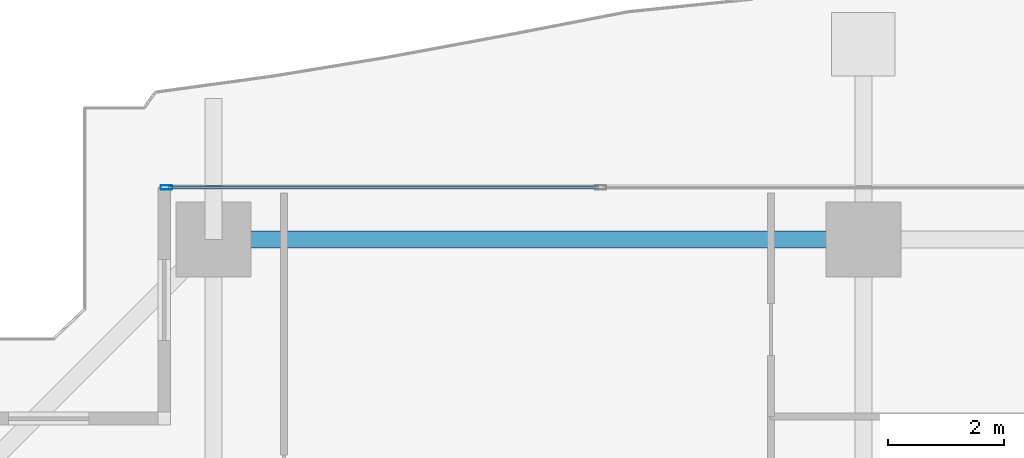
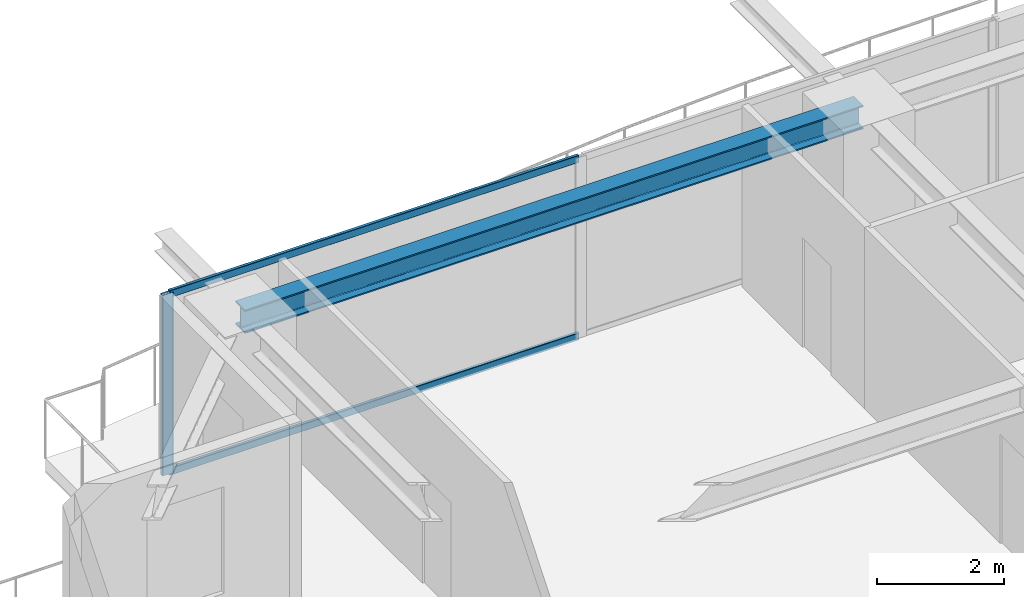
# One storey, part 16 of 33: 3 members, 1 beam, 1 element without a shape of its own.
"""IFC4 building model written with IfcOpenShell, lengths in metres."""

from ifc_helpers import new_model, si_unit, direction, frame, origin, origin_2d, place, context, subcontext, project, spatial, hollow_rectangle, i_section, extrude, source, transform, mapped, material, layer, layer_set, material_profile, profile_set, type_object, element, aggregate, save


model = new_model("IFC4")

# Units and contexts
model_context = context("Model", 3, precision=1e-05, world=origin(), true_north=direction((0.0, 1.0)))
body_context = subcontext(model_context, "Body", "Model", "MODEL_VIEW")
ifc_project = project(units=[si_unit("LENGTHUNIT", "METRE"), si_unit("AREAUNIT", "SQUARE_METRE"), si_unit("VOLUMEUNIT", "CUBIC_METRE"), si_unit("PLANEANGLEUNIT", "RADIAN"), si_unit("MASSUNIT", "GRAM", prefix="KILO")], contexts=[model_context])

# Site, building, storey
site_placement = place(None, origin())
site = spatial("IfcSite", under=ifc_project, at=site_placement, CompositionType="ELEMENT")
building_placement = place(site_placement, origin())
building = spatial("IfcBuilding", under=site, at=building_placement, Name="Serunith Strait Residences", CompositionType="ELEMENT")
storey_placement = place(building_placement, frame((0.0, 0.0, 150.14990234375)))
storey = spatial("IfcBuildingStorey", under=building, at=storey_placement, Name="L37", CompositionType="ELEMENT", Elevation=150.14990234375)

# Beam
ifc_material_1 = material(Name="Steel S355J2", Category="steel")
ifc_material_profile_1 = material_profile(ifc_material_1, i_section(OverallWidth=0.300048828125, OverallDepth=0.449951171875, WebThickness=0.013916015625, FlangeThickness=0.02587890625, FilletRadius=0.027099609375, at=origin_2d()), Name="HEB 450")
ifc_profile_set_1 = profile_set([ifc_material_profile_1], Name="Steel S355J2")
beam_type = type_object("IfcBeamType", Name="BM-HEB450", PredefinedType="BEAM", material=ifc_profile_set_1)
shared_shape_1 = source(origin(), body_context, "Body", "SweptSolid", [
    extrude(i_section(OverallWidth=0.300048828125, OverallDepth=0.449951171875, WebThickness=0.013916015625, FlangeThickness=0.02587890625, FilletRadius=0.027099609375, at=origin_2d()), origin(), (0.0, 0.0, 1.0), 11.25),
])
beam_placement = place(storey_placement, frame((27.89990234375, 48.10009765625, 3.26220703125), z_axis=(-1.0, 0.0, 0.0), x_axis=(0.0, -1.0, 0.0)))
element("IfcBeam", 1, at=beam_placement, inside=storey, type_object=beam_type, Name="L37 Perimeter Ring Beam 11", PredefinedType="BEAM", context=body_context, shape_type="MappedRepresentation", body=[
    mapped(shared_shape_1, transform((0.0, 0.0, 0.0), scale=1.0)),
])

# Curtain wall, members
ifc_material_2 = material(Name="Pale-Champagne Anodised Aluminium", Category="aluminium")
ifc_layer = layer(ifc_material_2, 0.199951171875, Name="Pale-Champagne Anodised Aluminium")
ifc_layer_set = layer_set([ifc_layer], Name="Pale-Champagne Anodised Aluminium")
curtain_wall_type = type_object("IfcCurtainWallType", Name="CW-SYS2", PredefinedType="NOTDEFINED", material=ifc_layer_set)
curtain_wall_placement = place(storey_placement, origin())
curtain_wall = element("IfcCurtainWall", 2, at=curtain_wall_placement, inside=storey, type_object=curtain_wall_type, Name="L37 N Unitised Fritted Curtain Wall", PredefinedType="NOTDEFINED")
ifc_material_profile_2 = material_profile(ifc_material_2, hollow_rectangle(XDim=0.070068359375, YDim=0.199951171875, WallThickness=0.00390625, InnerFilletRadius=0.006103515625, OuterFilletRadius=0.010009765625, at=origin_2d()), Name="ALU 200x70x4")
ifc_profile_set_2 = profile_set([ifc_material_profile_2], Name="Pale-Champagne Anodised Aluminium")
member_type_1 = type_object("IfcMemberType", Name="CW-SYS2-MULL", PredefinedType="MULLION", material=ifc_profile_set_2)
shared_shape_2 = source(origin(), body_context, "Body", "SweptSolid", [
    extrude(hollow_rectangle(XDim=0.070068359375, YDim=0.199951171875, WallThickness=0.00390625, InnerFilletRadius=0.006103515625, OuterFilletRadius=0.010009765625, at=origin_2d()), origin(), (0.0, 0.0, 1.0), 3.47509765625),
])
member_1_placement = place(storey_placement, frame((15.8349609375, 49.0, 0.0), z_axis=(0.0, 0.0, 1.0), x_axis=(0.0, -1.0, 0.0)))
member_1 = element("IfcMember", 3, at=member_1_placement, type_object=member_type_1, Name="CW-2 mullion 3", PredefinedType="MULLION", context=body_context, shape_type="MappedRepresentation", body=[
    mapped(shared_shape_2, transform((0.0, 0.0, 0.0), scale=1.0)),
])
ifc_material_profile_3 = material_profile(ifc_material_2, hollow_rectangle(XDim=0.06005859375, YDim=0.139892578125, WallThickness=0.00341796875, InnerFilletRadius=0.00537109375, OuterFilletRadius=0.0087890625, at=origin_2d()), Name="ALU 140x60x3.5")
ifc_profile_set_3 = profile_set([ifc_material_profile_3], Name="Pale-Champagne Anodised Aluminium")
member_type_2 = type_object("IfcMemberType", Name="CW-SYS2-TRAN", PredefinedType="USERDEFINED", material=ifc_profile_set_3)
shared_shape_3 = source(origin(), body_context, "Body", "SweptSolid", [
    extrude(hollow_rectangle(XDim=0.06005859375, YDim=0.139892578125, WallThickness=0.00341796875, InnerFilletRadius=0.00537109375, OuterFilletRadius=0.0087890625, at=origin_2d()), origin(), (0.0, 0.0, 1.0), 7.44482421875),
])
member_2_placement = place(storey_placement, frame((23.31494140625, 49.0, 0.030029296875), z_axis=(-1.0, 0.0, 0.0), x_axis=(0.0, -1.0, 0.0)))
member_2 = element("IfcMember", 4, at=member_2_placement, type_object=member_type_2, Name="CW-2 transom 2.1", ObjectType="TRANSOM", PredefinedType="USERDEFINED", context=body_context, shape_type="MappedRepresentation", body=[
    mapped(shared_shape_3, transform((0.0, 0.0, 0.0), scale=1.0)),
])
member_3_placement = place(storey_placement, frame((23.31494140625, 49.0, 3.445068359375), z_axis=(-1.0, 0.0, 0.0), x_axis=(0.0, -1.0, 0.0)))
member_3 = element("IfcMember", 5, at=member_3_placement, type_object=member_type_2, Name="CW-2 transom 2.2", ObjectType="TRANSOM", PredefinedType="USERDEFINED", context=body_context, shape_type="MappedRepresentation", body=[
    mapped(shared_shape_3, transform((0.0, 0.0, 0.0), scale=1.0)),
])
aggregate(curtain_wall, [member_1, member_2, member_3])

save(model, "model.ifc")
